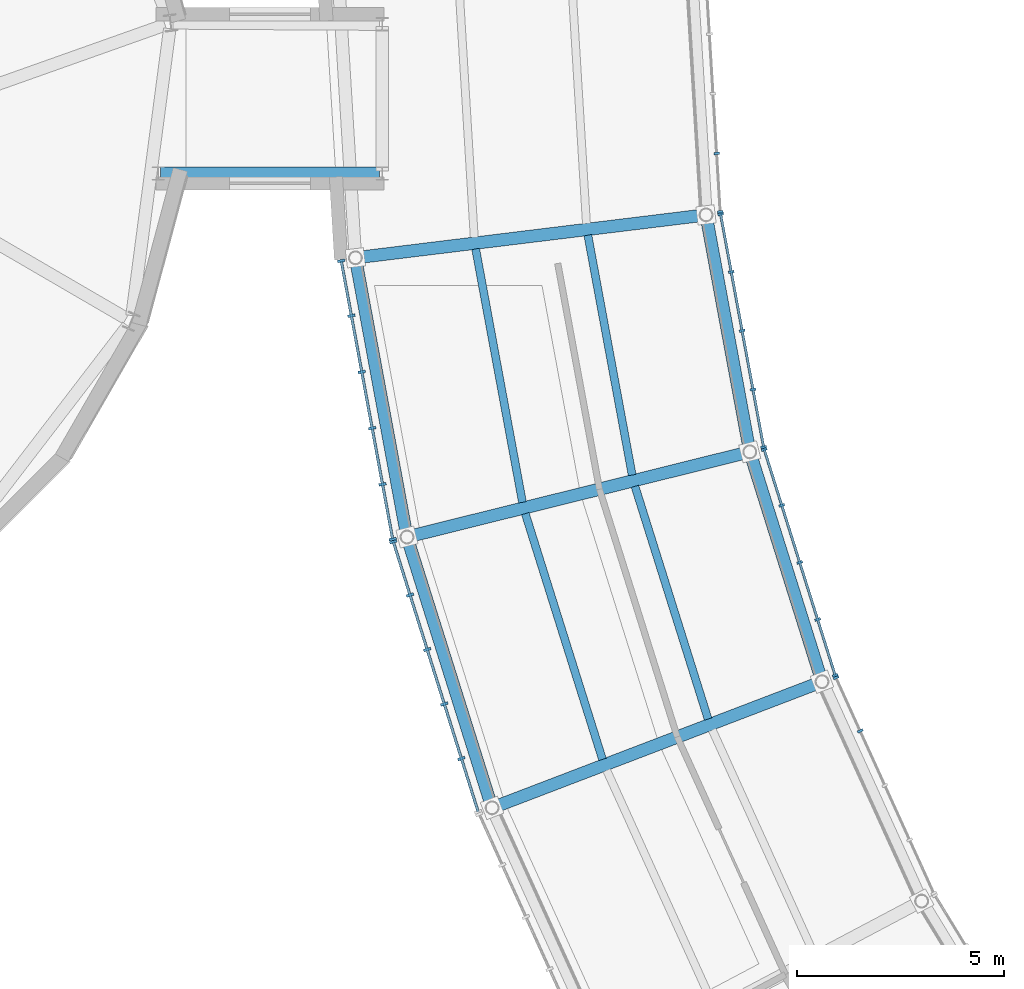
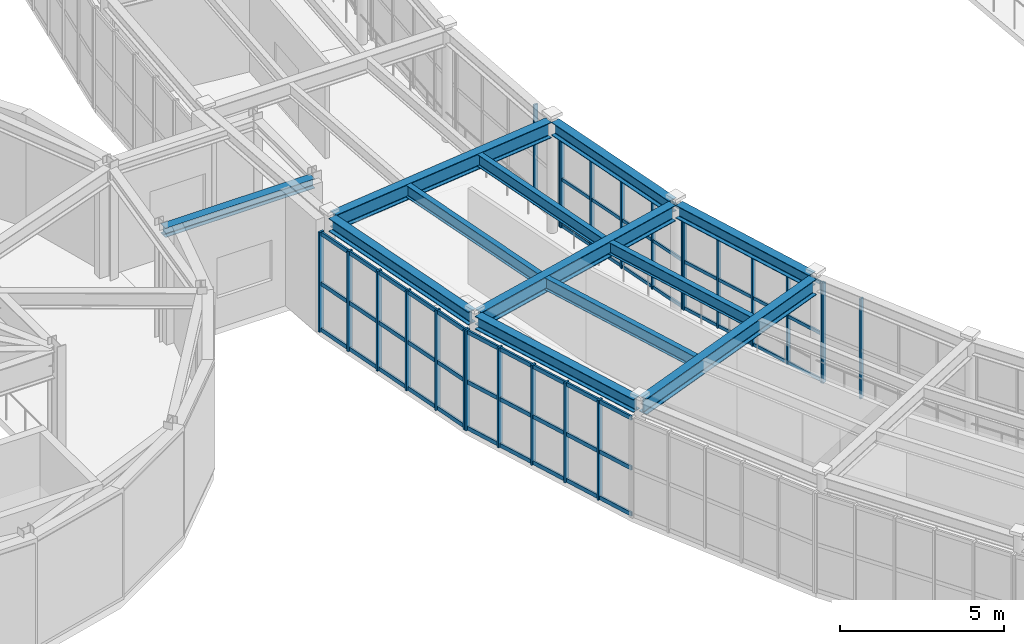
# One storey, part 22 of 103: 37 members, 12 beams, 6 elements without a shape of their own.
"""IFC4 building model written with IfcOpenShell, lengths in metres."""

from ifc_helpers import new_model, si_unit, direction, frame, origin, origin_2d, place, context, subcontext, project, spatial, rectangle, i_section, extrude, material, material_profile, profile_set, type_object, element, aggregate, save


model = new_model("IFC4")

# Units and contexts
model_context = context("Model", 3, precision=1e-05, world=origin(), true_north=direction((0.0, 1.0)))
body_context = subcontext(model_context, "Body", "Model", "MODEL_VIEW")
ifc_project = project(units=[si_unit("LENGTHUNIT", "METRE"), si_unit("AREAUNIT", "SQUARE_METRE"), si_unit("VOLUMEUNIT", "CUBIC_METRE"), si_unit("PLANEANGLEUNIT", "RADIAN"), si_unit("MASSUNIT", "GRAM", prefix="KILO")], contexts=[model_context])

# Site, building, storey
site_placement = place(None, origin())
site = spatial("IfcSite", under=ifc_project, at=site_placement, CompositionType="ELEMENT")
building_placement = place(site_placement, origin())
building = spatial("IfcBuilding", under=site, at=building_placement, Name="Varnklinge Art Gallery", CompositionType="ELEMENT")
storey_placement = place(building_placement, frame((0.0, 0.0, 5.10009765625)))
storey = spatial("IfcBuildingStorey", under=building, at=storey_placement, Name="L01", CompositionType="ELEMENT", Elevation=5.10009765625)

# Beams
ifc_material_1 = material(Name="Steel S355", Category="steel")
ifc_material_profile_1 = material_profile(ifc_material_1, i_section(OverallWidth=0.300048828125, OverallDepth=0.590087890625, WebThickness=0.012939453125, FlangeThickness=0.02490234375, FilletRadius=0.027099609375, at=origin_2d()), Name="HEA 600")
ifc_profile_set_1 = profile_set([ifc_material_profile_1], Name="Steel S355")
beam_type_1 = type_object("IfcBeamType", Name="BM-06", PredefinedType="BEAM", material=ifc_profile_set_1)
beam_1_placement = place(storey_placement, frame((40.297119140625, 48.18359375, 3.885009765625), z_axis=(0.992595580805, 0.121466098009, 0.0), x_axis=(-0.121466098009, 0.992595580805, 0.0)))
element("IfcBeam", 1, at=beam_1_placement, inside=storey, type_object=beam_type_1, Name="L01 BM-06 BM-V2-L02-R28", PredefinedType="BEAM", context=body_context, shape_type="SweptSolid", body=[
    extrude(i_section(OverallWidth=0.300048828125, OverallDepth=0.590087890625, WebThickness=0.012939453125, FlangeThickness=0.02490234375, FilletRadius=0.027099609375, at=origin_2d()), origin(), (0.0, 0.0, 1.0), 8.23681640625),
])
beam_2_placement = place(storey_placement, frame((41.53759765625, 41.468017578125, 3.885009765625), z_axis=(0.970493677731, 0.241126567355, 0.0), x_axis=(-0.241126567355, 0.970493677731, 0.0)))
element("IfcBeam", 2, at=beam_2_placement, inside=storey, type_object=beam_type_1, Name="L01 BM-06 BM-V2-L02-R29", PredefinedType="BEAM", context=body_context, shape_type="SweptSolid", body=[
    extrude(i_section(OverallWidth=0.300048828125, OverallDepth=0.590087890625, WebThickness=0.012939453125, FlangeThickness=0.02490234375, FilletRadius=0.027099609375, at=origin_2d()), origin(), (0.0, 0.0, 1.0), 8.236572265625),
])
beam_3_placement = place(storey_placement, frame((43.584228515625, 34.952880859375, 3.885009765625), z_axis=(0.934013153302, 0.357238616976, 0.0), x_axis=(-0.357238616976, 0.934013153302, 0.0)))
element("IfcBeam", 3, at=beam_3_placement, inside=storey, type_object=beam_type_1, Name="L01 BM-06 BM-V2-L02-R30", PredefinedType="BEAM", context=body_context, shape_type="SweptSolid", body=[
    extrude(i_section(OverallWidth=0.300048828125, OverallDepth=0.590087890625, WebThickness=0.012939453125, FlangeThickness=0.02490234375, FilletRadius=0.027099609375, at=origin_2d()), origin(), (0.0, 0.0, 1.0), 8.237060546875),
])
ifc_material_2 = material(Name="Steel S355", Category="steel")
ifc_material_profile_2 = material_profile(ifc_material_2, i_section(OverallWidth=0.300048828125, OverallDepth=0.35009765625, WebThickness=0.010009765625, FlangeThickness=0.017578125, FilletRadius=0.027099609375, at=origin_2d()), Name="HEA 360")
ifc_profile_set_2 = profile_set([ifc_material_profile_2], Name="Steel S355")
beam_type_2 = type_object("IfcBeamType", Name="BM-10", PredefinedType="BEAM", material=ifc_profile_set_2)
beam_4_placement = place(storey_placement, frame((35.4599609375, 50.199951171875, 3.994873046875), z_axis=(1.0, 0.0, 0.0), x_axis=(0.0, 1.0, 0.0)))
element("IfcBeam", 4, at=beam_4_placement, inside=storey, type_object=beam_type_2, Name="L01 BM-10 BM-LNK-V3-ROOF-1", PredefinedType="BEAM", context=body_context, shape_type="SweptSolid", body=[
    extrude(i_section(OverallWidth=0.300048828125, OverallDepth=0.35009765625, WebThickness=0.010009765625, FlangeThickness=0.017578125, FilletRadius=0.027099609375, at=origin_2d()), origin(), (0.0, 0.0, 1.0), 5.280029296875),
])
ifc_material_3 = material(Name="Steel S355", Category="steel")
ifc_material_profile_3 = material_profile(ifc_material_3, i_section(OverallWidth=0.18994140625, OverallDepth=0.449951171875, WebThickness=0.009521484375, FlangeThickness=0.0146484375, FilletRadius=0.02099609375, at=origin_2d()), Name="IPE 450")
ifc_profile_set_3 = profile_set([ifc_material_profile_3], Name="Steel S355")
beam_type_3 = type_object("IfcBeamType", Name="JST-04", PredefinedType="JOIST", material=ifc_profile_set_3)
beam_5_placement = place(storey_placement, frame((43.057861328125, 48.380615234375, 3.954833984375), z_axis=(0.181640421722, -0.983365017273, 0.0), x_axis=(0.983365017273, 0.181640421722, 0.0)))
element("IfcBeam", 5, at=beam_5_placement, inside=storey, type_object=beam_type_3, Name="L01 JST-04 JST-V2-L02-28-1", PredefinedType="JOIST", context=body_context, shape_type="SweptSolid", body=[
    extrude(i_section(OverallWidth=0.18994140625, OverallDepth=0.449951171875, WebThickness=0.009521484375, FlangeThickness=0.0146484375, FilletRadius=0.02099609375, at=origin_2d()), origin(), (0.0, 0.0, 1.0), 6.213623046875),
])
beam_6_placement = place(storey_placement, frame((45.76318359375, 48.711669921875, 3.954833984375), z_axis=(0.181631460363, -0.983366672512, 0.0), x_axis=(0.983366672512, 0.181631460363, 0.0)))
element("IfcBeam", 6, at=beam_6_placement, inside=storey, type_object=beam_type_3, Name="L01 JST-04 JST-V2-L02-28-2", PredefinedType="JOIST", context=body_context, shape_type="SweptSolid", body=[
    extrude(i_section(OverallWidth=0.18994140625, OverallDepth=0.449951171875, WebThickness=0.009521484375, FlangeThickness=0.0146484375, FilletRadius=0.02099609375, at=origin_2d()), origin(), (0.0, 0.0, 1.0), 5.882080078125),
])
beam_7_placement = place(storey_placement, frame((44.25390625, 41.998779296875, 3.954833984375), z_axis=(0.29971318729, -0.954029352465, 0.0), x_axis=(0.954029352465, 0.29971318729, 0.0)))
element("IfcBeam", 7, at=beam_7_placement, inside=storey, type_object=beam_type_3, Name="L01 JST-04 JST-V2-L02-29-1", PredefinedType="JOIST", context=body_context, shape_type="SweptSolid", body=[
    extrude(i_section(OverallWidth=0.18994140625, OverallDepth=0.449951171875, WebThickness=0.009521484375, FlangeThickness=0.0146484375, FilletRadius=0.02099609375, at=origin_2d()), origin(), (0.0, 0.0, 1.0), 6.213623046875),
])
beam_8_placement = place(storey_placement, frame((46.89892578125, 42.656005859375, 3.954833984375), z_axis=(0.299756442746, -0.954015762465, 0.0), x_axis=(0.954015762465, 0.299756442746, 0.0)))
element("IfcBeam", 8, at=beam_8_placement, inside=storey, type_object=beam_type_3, Name="L01 JST-04 JST-V2-L02-29-2", PredefinedType="JOIST", context=body_context, shape_type="SweptSolid", body=[
    extrude(i_section(OverallWidth=0.18994140625, OverallDepth=0.449951171875, WebThickness=0.009521484375, FlangeThickness=0.0146484375, FilletRadius=0.02099609375, at=origin_2d()), origin(), (0.0, 0.0, 1.0), 5.882080078125),
])

# Curtain wall, members
ifc_material_4 = material(Name="Anodised Aluminium", Category="aluminium")
curtain_wall_type_1 = type_object("IfcCurtainWallType", Name="CW-R02", PredefinedType="USERDEFINED", material=ifc_material_4)
curtain_wall_1_placement = place(storey_placement, origin())
curtain_wall_1 = element("IfcCurtainWall", 9, at=curtain_wall_1_placement, inside=storey, type_object=curtain_wall_type_1, Name="L01 Curtain Wall CW-V2O-L01-28", ObjectType="UNITISED CURTAIN WALL", PredefinedType="USERDEFINED")
ifc_material_5 = material(Name="Anodised Aluminium", Category="aluminium")
ifc_material_profile_4 = material_profile(ifc_material_5, rectangle(XDim=0.06494140625, YDim=0.179931640625, at=origin_2d()), Name="ALU 65x180")
ifc_profile_set_4 = profile_set([ifc_material_profile_4], Name="Anodised Aluminium")
member_type_1 = type_object("IfcMemberType", Name="MUL-01", PredefinedType="MULLION", material=ifc_profile_set_4)
member_1_placement = place(storey_placement, frame((39.81640625, 48.092041015625, 0.0), z_axis=(0.0, 0.0, 1.0), x_axis=(0.18172066947, -0.983350191075, 0.0)))
member_1 = element("IfcMember", 10, at=member_1_placement, type_object=member_type_1, Name="CW-V2O-L01-28 Mullion 1", PredefinedType="MULLION", context=body_context, shape_type="SweptSolid", body=[
    extrude(rectangle(XDim=0.06494140625, YDim=0.179931640625, at=origin_2d()), origin(), (0.0, 0.0, 1.0), 3.72998046875),
])
member_2_placement = place(storey_placement, frame((40.060791015625, 46.769287109375, 0.0), z_axis=(0.0, 0.0, 1.0), x_axis=(0.18172066947, -0.983350191075, 0.0)))
member_2 = element("IfcMember", 11, at=member_2_placement, type_object=member_type_1, Name="CW-V2O-L01-28 Mullion 2", PredefinedType="MULLION", context=body_context, shape_type="SweptSolid", body=[
    extrude(rectangle(XDim=0.06494140625, YDim=0.179931640625, at=origin_2d()), origin(), (0.0, 0.0, 1.0), 3.72998046875),
])
member_3_placement = place(storey_placement, frame((40.31103515625, 45.414306640625, 0.0), z_axis=(0.0, 0.0, 1.0), x_axis=(0.18172066947, -0.983350191075, 0.0)))
member_3 = element("IfcMember", 12, at=member_3_placement, type_object=member_type_1, Name="CW-V2O-L01-28 Mullion 3", PredefinedType="MULLION", context=body_context, shape_type="SweptSolid", body=[
    extrude(rectangle(XDim=0.06494140625, YDim=0.179931640625, at=origin_2d()), origin(), (0.0, 0.0, 1.0), 3.72998046875),
])
member_4_placement = place(storey_placement, frame((40.561279296875, 44.0595703125, 0.0), z_axis=(0.0, 0.0, 1.0), x_axis=(0.18172066947, -0.983350191075, 0.0)))
member_4 = element("IfcMember", 13, at=member_4_placement, type_object=member_type_1, Name="CW-V2O-L01-28 Mullion 4", PredefinedType="MULLION", context=body_context, shape_type="SweptSolid", body=[
    extrude(rectangle(XDim=0.06494140625, YDim=0.179931640625, at=origin_2d()), origin(), (0.0, 0.0, 1.0), 3.72998046875),
])
member_5_placement = place(storey_placement, frame((40.8115234375, 42.70458984375, 0.0), z_axis=(0.0, 0.0, 1.0), x_axis=(0.18172066947, -0.983350191075, 0.0)))
member_5 = element("IfcMember", 14, at=member_5_placement, type_object=member_type_1, Name="CW-V2O-L01-28 Mullion 5", PredefinedType="MULLION", context=body_context, shape_type="SweptSolid", body=[
    extrude(rectangle(XDim=0.06494140625, YDim=0.179931640625, at=origin_2d()), origin(), (0.0, 0.0, 1.0), 3.72998046875),
])
member_6_placement = place(storey_placement, frame((41.055908203125, 41.3818359375, 0.0), z_axis=(0.0, 0.0, 1.0), x_axis=(0.18172066947, -0.983350191075, 0.0)))
member_6 = element("IfcMember", 15, at=member_6_placement, type_object=member_type_1, Name="CW-V2O-L01-28 Mullion 6", PredefinedType="MULLION", context=body_context, shape_type="SweptSolid", body=[
    extrude(rectangle(XDim=0.06494140625, YDim=0.179931640625, at=origin_2d()), origin(), (0.0, 0.0, 1.0), 3.72998046875),
])

curtain_wall_2_placement = place(storey_placement, origin())
curtain_wall_2 = element("IfcCurtainWall", 16, at=curtain_wall_2_placement, inside=storey, type_object=curtain_wall_type_1, Name="L01 Curtain Wall CW-V2O-L01-29", ObjectType="UNITISED CURTAIN WALL", PredefinedType="USERDEFINED")
member_7_placement = place(storey_placement, frame((41.071533203125, 41.31884765625, 0.0), z_axis=(0.0, 0.0, 1.0), x_axis=(0.299706904751, -0.954031326134, 0.0)))
member_7 = element("IfcMember", 17, at=member_7_placement, type_object=member_type_1, Name="CW-V2O-L01-29 Mullion 1", PredefinedType="MULLION", context=body_context, shape_type="SweptSolid", body=[
    extrude(rectangle(XDim=0.06494140625, YDim=0.179931640625, at=origin_2d()), origin(), (0.0, 0.0, 1.0), 3.72998046875),
])
member_8_placement = place(storey_placement, frame((41.474853515625, 40.035400390625, 0.0), z_axis=(0.0, 0.0, 1.0), x_axis=(0.299706904751, -0.954031326134, 0.0)))
member_8 = element("IfcMember", 18, at=member_8_placement, type_object=member_type_1, Name="CW-V2O-L01-29 Mullion 2", PredefinedType="MULLION", context=body_context, shape_type="SweptSolid", body=[
    extrude(rectangle(XDim=0.06494140625, YDim=0.179931640625, at=origin_2d()), origin(), (0.0, 0.0, 1.0), 3.72998046875),
])
member_9_placement = place(storey_placement, frame((41.8876953125, 38.720947265625, 0.0), z_axis=(0.0, 0.0, 1.0), x_axis=(0.299706904751, -0.954031326134, 0.0)))
member_9 = element("IfcMember", 19, at=member_9_placement, type_object=member_type_1, Name="CW-V2O-L01-29 Mullion 3", PredefinedType="MULLION", context=body_context, shape_type="SweptSolid", body=[
    extrude(rectangle(XDim=0.06494140625, YDim=0.179931640625, at=origin_2d()), origin(), (0.0, 0.0, 1.0), 3.72998046875),
])
member_10_placement = place(storey_placement, frame((42.30078125, 37.406494140625, 0.0), z_axis=(0.0, 0.0, 1.0), x_axis=(0.299706904751, -0.954031326134, 0.0)))
member_10 = element("IfcMember", 20, at=member_10_placement, type_object=member_type_1, Name="CW-V2O-L01-29 Mullion 4", PredefinedType="MULLION", context=body_context, shape_type="SweptSolid", body=[
    extrude(rectangle(XDim=0.06494140625, YDim=0.179931640625, at=origin_2d()), origin(), (0.0, 0.0, 1.0), 3.72998046875),
])
member_11_placement = place(storey_placement, frame((42.713623046875, 36.09228515625, 0.0), z_axis=(0.0, 0.0, 1.0), x_axis=(0.299706904751, -0.954031326134, 0.0)))
member_11 = element("IfcMember", 21, at=member_11_placement, type_object=member_type_1, Name="CW-V2O-L01-29 Mullion 5", PredefinedType="MULLION", context=body_context, shape_type="SweptSolid", body=[
    extrude(rectangle(XDim=0.06494140625, YDim=0.179931640625, at=origin_2d()), origin(), (0.0, 0.0, 1.0), 3.72998046875),
])

ifc_material_6 = material(Name="Anodised Aluminium", Category="aluminium")
curtain_wall_type_2 = type_object("IfcCurtainWallType", Name="CW-R04", PredefinedType="USERDEFINED", material=ifc_material_6)
curtain_wall_3_placement = place(storey_placement, origin())
curtain_wall_3 = element("IfcCurtainWall", 22, at=curtain_wall_3_placement, inside=storey, type_object=curtain_wall_type_2, Name="L01 Curtain Wall CW-V2I-L01-27", ObjectType="UNITISED CURTAIN WALL", PredefinedType="USERDEFINED")
ifc_material_7 = material(Name="Anodised Aluminium", Category="aluminium")
ifc_material_profile_5 = material_profile(ifc_material_7, rectangle(XDim=0.06005859375, YDim=0.139892578125, at=origin_2d()), Name="ALU 60x140")
ifc_profile_set_5 = profile_set([ifc_material_profile_5], Name="Anodised Aluminium")
member_type_2 = type_object("IfcMemberType", Name="MUL-03", PredefinedType="MULLION", material=ifc_profile_set_5)
member_12_placement = place(storey_placement, frame((48.95751953125, 49.2734375, 0.0), z_axis=(0.0, 0.0, 1.0), x_axis=(-0.06087433122, 0.9981454382, 0.0)))
member_12 = element("IfcMember", 23, at=member_12_placement, type_object=member_type_2, Name="CW-V2I-L01-27 Mullion 1", PredefinedType="MULLION", context=body_context, shape_type="SweptSolid", body=[
    extrude(rectangle(XDim=0.06005859375, YDim=0.139892578125, at=origin_2d()), origin(), (0.0, 0.0, 1.0), 3.72998046875),
])
member_13_placement = place(storey_placement, frame((48.87158203125, 50.6826171875, 0.0), z_axis=(0.0, 0.0, 1.0), x_axis=(-0.06087433122, 0.9981454382, 0.0)))
member_13 = element("IfcMember", 24, at=member_13_placement, type_object=member_type_2, Name="CW-V2I-L01-27 Mullion 2", PredefinedType="MULLION", context=body_context, shape_type="SweptSolid", body=[
    extrude(rectangle(XDim=0.06005859375, YDim=0.139892578125, at=origin_2d()), origin(), (0.0, 0.0, 1.0), 3.72998046875),
])
aggregate(curtain_wall_3, [member_12, member_13])

curtain_wall_4_placement = place(storey_placement, origin())
curtain_wall_4 = element("IfcCurtainWall", 25, at=curtain_wall_4_placement, inside=storey, type_object=curtain_wall_type_2, Name="L01 Curtain Wall CW-V2I-L01-28", ObjectType="UNITISED CURTAIN WALL", PredefinedType="USERDEFINED")
member_14_placement = place(storey_placement, frame((50.00146484375, 43.601806640625, 0.0), z_axis=(0.0, 0.0, 1.0), x_axis=(-0.181549039717, 0.983381892338, 0.0)))
member_14 = element("IfcMember", 26, at=member_14_placement, type_object=member_type_2, Name="CW-V2I-L01-28 Mullion 1", PredefinedType="MULLION", context=body_context, shape_type="SweptSolid", body=[
    extrude(rectangle(XDim=0.06005859375, YDim=0.139892578125, at=origin_2d()), origin(), (0.0, 0.0, 1.0), 3.72998046875),
])
member_15_placement = place(storey_placement, frame((49.7451171875, 44.990234375, 0.0), z_axis=(0.0, 0.0, 1.0), x_axis=(-0.181549039717, 0.983381892338, 0.0)))
member_15 = element("IfcMember", 27, at=member_15_placement, type_object=member_type_2, Name="CW-V2I-L01-28 Mullion 2", PredefinedType="MULLION", context=body_context, shape_type="SweptSolid", body=[
    extrude(rectangle(XDim=0.06005859375, YDim=0.139892578125, at=origin_2d()), origin(), (0.0, 0.0, 1.0), 3.72998046875),
])
member_16_placement = place(storey_placement, frame((49.483154296875, 46.407958984375, 0.0), z_axis=(0.0, 0.0, 1.0), x_axis=(-0.181549039717, 0.983381892338, 0.0)))
member_16 = element("IfcMember", 28, at=member_16_placement, type_object=member_type_2, Name="CW-V2I-L01-28 Mullion 3", PredefinedType="MULLION", context=body_context, shape_type="SweptSolid", body=[
    extrude(rectangle(XDim=0.06005859375, YDim=0.139892578125, at=origin_2d()), origin(), (0.0, 0.0, 1.0), 3.72998046875),
])
member_17_placement = place(storey_placement, frame((49.22119140625, 47.82568359375, 0.0), z_axis=(0.0, 0.0, 1.0), x_axis=(-0.181549039717, 0.983381892338, 0.0)))
member_17 = element("IfcMember", 29, at=member_17_placement, type_object=member_type_2, Name="CW-V2I-L01-28 Mullion 4", PredefinedType="MULLION", context=body_context, shape_type="SweptSolid", body=[
    extrude(rectangle(XDim=0.06005859375, YDim=0.139892578125, at=origin_2d()), origin(), (0.0, 0.0, 1.0), 3.72998046875),
])
member_18_placement = place(storey_placement, frame((48.96484375, 49.214111328125, 0.0), z_axis=(0.0, 0.0, 1.0), x_axis=(-0.181549039717, 0.983381892338, 0.0)))
member_18 = element("IfcMember", 30, at=member_18_placement, type_object=member_type_2, Name="CW-V2I-L01-28 Mullion 5", PredefinedType="MULLION", context=body_context, shape_type="SweptSolid", body=[
    extrude(rectangle(XDim=0.06005859375, YDim=0.139892578125, at=origin_2d()), origin(), (0.0, 0.0, 1.0), 3.72998046875),
])

curtain_wall_5_placement = place(storey_placement, origin())
curtain_wall_5 = element("IfcCurtainWall", 31, at=curtain_wall_5_placement, inside=storey, type_object=curtain_wall_type_2, Name="L01 Curtain Wall CW-V2I-L01-29", ObjectType="UNITISED CURTAIN WALL", PredefinedType="USERDEFINED")
member_19_placement = place(storey_placement, frame((51.7265625, 38.09912109375, 0.0), z_axis=(0.0, 0.0, 1.0), x_axis=(-0.299706904751, 0.954031326134, 0.0)))
member_19 = element("IfcMember", 32, at=member_19_placement, type_object=member_type_2, Name="CW-V2I-L01-29 Mullion 1", PredefinedType="MULLION", context=body_context, shape_type="SweptSolid", body=[
    extrude(rectangle(XDim=0.06005859375, YDim=0.139892578125, at=origin_2d()), origin(), (0.0, 0.0, 1.0), 3.72998046875),
])
member_20_placement = place(storey_placement, frame((51.303466796875, 39.44580078125, 0.0), z_axis=(0.0, 0.0, 1.0), x_axis=(-0.299706904751, 0.954031326134, 0.0)))
member_20 = element("IfcMember", 33, at=member_20_placement, type_object=member_type_2, Name="CW-V2I-L01-29 Mullion 2", PredefinedType="MULLION", context=body_context, shape_type="SweptSolid", body=[
    extrude(rectangle(XDim=0.06005859375, YDim=0.139892578125, at=origin_2d()), origin(), (0.0, 0.0, 1.0), 3.72998046875),
])
member_21_placement = place(storey_placement, frame((50.871337890625, 40.8212890625, 0.0), z_axis=(0.0, 0.0, 1.0), x_axis=(-0.299706904751, 0.954031326134, 0.0)))
member_21 = element("IfcMember", 34, at=member_21_placement, type_object=member_type_2, Name="CW-V2I-L01-29 Mullion 3", PredefinedType="MULLION", context=body_context, shape_type="SweptSolid", body=[
    extrude(rectangle(XDim=0.06005859375, YDim=0.139892578125, at=origin_2d()), origin(), (0.0, 0.0, 1.0), 3.72998046875),
])
member_22_placement = place(storey_placement, frame((50.439208984375, 42.197021484375, 0.0), z_axis=(0.0, 0.0, 1.0), x_axis=(-0.299706904751, 0.954031326134, 0.0)))
member_22 = element("IfcMember", 35, at=member_22_placement, type_object=member_type_2, Name="CW-V2I-L01-29 Mullion 4", PredefinedType="MULLION", context=body_context, shape_type="SweptSolid", body=[
    extrude(rectangle(XDim=0.06005859375, YDim=0.139892578125, at=origin_2d()), origin(), (0.0, 0.0, 1.0), 3.72998046875),
])
member_23_placement = place(storey_placement, frame((50.015869140625, 43.543701171875, 0.0), z_axis=(0.0, 0.0, 1.0), x_axis=(-0.299706904751, 0.954031326134, 0.0)))
member_23 = element("IfcMember", 36, at=member_23_placement, type_object=member_type_2, Name="CW-V2I-L01-29 Mullion 5", PredefinedType="MULLION", context=body_context, shape_type="SweptSolid", body=[
    extrude(rectangle(XDim=0.06005859375, YDim=0.139892578125, at=origin_2d()), origin(), (0.0, 0.0, 1.0), 3.72998046875),
])

curtain_wall_6_placement = place(storey_placement, origin())
curtain_wall_6 = element("IfcCurtainWall", 37, at=curtain_wall_6_placement, inside=storey, type_object=curtain_wall_type_2, Name="L01 Curtain Wall CW-V2I-L01-30", ObjectType="UNITISED CURTAIN WALL", PredefinedType="USERDEFINED")
member_24_placement = place(storey_placement, frame((52.33154296875, 36.757568359375, 0.0), z_axis=(0.0, 0.0, 1.0), x_axis=(-0.413422293217, 0.910539404678, 0.0)))
member_24 = element("IfcMember", 38, at=member_24_placement, type_object=member_type_2, Name="CW-V2I-L01-30 Mullion 4", PredefinedType="MULLION", context=body_context, shape_type="SweptSolid", body=[
    extrude(rectangle(XDim=0.06005859375, YDim=0.139892578125, at=origin_2d()), origin(), (0.0, 0.0, 1.0), 3.72998046875),
])
member_25_placement = place(storey_placement, frame((51.748046875, 38.043212890625, 0.0), z_axis=(0.0, 0.0, 1.0), x_axis=(-0.413422293217, 0.910539404678, 0.0)))
member_25 = element("IfcMember", 39, at=member_25_placement, type_object=member_type_2, Name="CW-V2I-L01-30 Mullion 5", PredefinedType="MULLION", context=body_context, shape_type="SweptSolid", body=[
    extrude(rectangle(XDim=0.06005859375, YDim=0.139892578125, at=origin_2d()), origin(), (0.0, 0.0, 1.0), 3.72998046875),
])
aggregate(curtain_wall_6, [member_24, member_25])

# Beams
ifc_material_8 = material(Name="Steel S355", Category="steel")
ifc_material_profile_6 = material_profile(ifc_material_8, i_section(OverallWidth=0.300048828125, OverallDepth=0.489990234375, WebThickness=0.011962890625, FlangeThickness=0.02294921875, FilletRadius=0.027099609375, at=origin_2d()), Name="HEA 500")
ifc_profile_set_6 = profile_set([ifc_material_profile_6], Name="Steel S355")
beam_type_4 = type_object("IfcBeamType", Name="SPB-01", PredefinedType="SPANDREL", material=ifc_profile_set_6)
beam_9_placement = place(storey_placement, frame((40.183349609375, 48.02880859375, 3.934814453125), z_axis=(0.181672496831, -0.983359092039, 0.0), x_axis=(0.983359092039, 0.181672496831, 0.0)))
element("IfcBeam", 40, at=beam_9_placement, inside=storey, type_object=beam_type_4, Name="L01 SPB-01 BM-V2-L02-O28", PredefinedType="SPANDREL", context=body_context, shape_type="SweptSolid", body=[
    extrude(i_section(OverallWidth=0.300048828125, OverallDepth=0.489990234375, WebThickness=0.011962890625, FlangeThickness=0.02294921875, FilletRadius=0.027099609375, at=origin_2d()), origin(), (0.0, 0.0, 1.0), 6.566162109375),
])
beam_10_placement = place(storey_placement, frame((48.637451171875, 49.0634765625, 3.934814453125), z_axis=(0.181635496942, -0.983365926932, 0.0), x_axis=(0.983365926932, 0.181635496942, 0.0)))
element("IfcBeam", 41, at=beam_10_placement, inside=storey, type_object=beam_type_4, Name="L01 SPB-01 BM-V2-L02-I28", PredefinedType="SPANDREL", context=body_context, shape_type="SweptSolid", body=[
    extrude(i_section(OverallWidth=0.300048828125, OverallDepth=0.489990234375, WebThickness=0.011962890625, FlangeThickness=0.02294921875, FilletRadius=0.027099609375, at=origin_2d()), origin(), (0.0, 0.0, 1.0), 5.52978515625),
])
beam_11_placement = place(storey_placement, frame((41.443603515625, 41.300537109375, 3.934814453125), z_axis=(0.299727009364, -0.95402501008, 0.0), x_axis=(0.95402501008, 0.299727009364, 0.0)))
element("IfcBeam", 42, at=beam_11_placement, inside=storey, type_object=beam_type_4, Name="L01 SPB-01 BM-V2-L02-O29", PredefinedType="SPANDREL", context=body_context, shape_type="SweptSolid", body=[
    extrude(i_section(OverallWidth=0.300048828125, OverallDepth=0.489990234375, WebThickness=0.011962890625, FlangeThickness=0.02294921875, FilletRadius=0.027099609375, at=origin_2d()), origin(), (0.0, 0.0, 1.0), 6.56591796875),
])
beam_12_placement = place(storey_placement, frame((49.709228515625, 43.3544921875, 3.934814453125), z_axis=(0.299742786947, -0.954020053077, 0.0), x_axis=(0.954020053077, 0.299742786947, 0.0)))
element("IfcBeam", 43, at=beam_12_placement, inside=storey, type_object=beam_type_4, Name="L01 SPB-01 BM-V2-L02-I29", PredefinedType="SPANDREL", context=body_context, shape_type="SweptSolid", body=[
    extrude(i_section(OverallWidth=0.300048828125, OverallDepth=0.489990234375, WebThickness=0.011962890625, FlangeThickness=0.02294921875, FilletRadius=0.027099609375, at=origin_2d()), origin(), (0.0, 0.0, 1.0), 5.529541015625),
])

# Member
ifc_material_9 = material(Name="Anodised Aluminium", Category="aluminium")
ifc_material_profile_7 = material_profile(ifc_material_9, rectangle(XDim=0.06494140625, YDim=0.14990234375, at=origin_2d()), Name="ALU 65x150")
ifc_profile_set_7 = profile_set([ifc_material_profile_7], Name="Anodised Aluminium")
member_type_3 = type_object("IfcMemberType", Name="TRN-01", PredefinedType="USERDEFINED", material=ifc_profile_set_7)
member_26_placement = place(storey_placement, frame((39.81640625, 48.092041015625, 0.074951171875), z_axis=(0.181645952551, -0.98336399564, 0.0), x_axis=(0.98336399564, 0.181645952551, 0.0)))
member_26 = element("IfcMember", 44, at=member_26_placement, type_object=member_type_3, Name="CW-V2O-L01-28 Transom 1", ObjectType="TRANSOM", PredefinedType="USERDEFINED", context=body_context, shape_type="SweptSolid", body=[
    extrude(rectangle(XDim=0.06494140625, YDim=0.14990234375, at=origin_2d()), origin(), (0.0, 0.0, 1.0), 6.82373046875),
])

member_27_placement = place(storey_placement, frame((39.81640625, 48.092041015625, 1.790283203125), z_axis=(0.181645952551, -0.98336399564, 0.0), x_axis=(0.98336399564, 0.181645952551, 0.0)))
member_27 = element("IfcMember", 45, at=member_27_placement, type_object=member_type_3, Name="CW-V2O-L01-28 Transom 2", ObjectType="TRANSOM", PredefinedType="USERDEFINED", context=body_context, shape_type="SweptSolid", body=[
    extrude(rectangle(XDim=0.06494140625, YDim=0.14990234375, at=origin_2d()), origin(), (0.0, 0.0, 1.0), 6.82373046875),
])

member_28_placement = place(storey_placement, frame((39.81640625, 48.092041015625, 3.65478515625), z_axis=(0.181645952551, -0.98336399564, 0.0), x_axis=(0.98336399564, 0.181645952551, 0.0)))
member_28 = element("IfcMember", 46, at=member_28_placement, type_object=member_type_3, Name="CW-V2O-L01-28 Transom 3", ObjectType="TRANSOM", PredefinedType="USERDEFINED", context=body_context, shape_type="SweptSolid", body=[
    extrude(rectangle(XDim=0.06494140625, YDim=0.14990234375, at=origin_2d()), origin(), (0.0, 0.0, 1.0), 6.82373046875),
])

aggregate(curtain_wall_1, [member_1, member_2, member_3, member_4, member_5, member_6, member_26, member_27, member_28])

member_29_placement = place(storey_placement, frame((41.071533203125, 41.31884765625, 0.074951171875), z_axis=(0.299747517442, -0.954018566794, 0.0), x_axis=(0.954018566794, 0.299747517442, 0.0)))
member_29 = element("IfcMember", 47, at=member_29_placement, type_object=member_type_3, Name="CW-V2O-L01-29 Transom 1", ObjectType="TRANSOM", PredefinedType="USERDEFINED", context=body_context, shape_type="SweptSolid", body=[
    extrude(rectangle(XDim=0.06494140625, YDim=0.14990234375, at=origin_2d()), origin(), (0.0, 0.0, 1.0), 6.82373046875),
])

member_30_placement = place(storey_placement, frame((41.071533203125, 41.31884765625, 1.790283203125), z_axis=(0.299747517442, -0.954018566794, 0.0), x_axis=(0.954018566794, 0.299747517442, 0.0)))
member_30 = element("IfcMember", 48, at=member_30_placement, type_object=member_type_3, Name="CW-V2O-L01-29 Transom 2", ObjectType="TRANSOM", PredefinedType="USERDEFINED", context=body_context, shape_type="SweptSolid", body=[
    extrude(rectangle(XDim=0.06494140625, YDim=0.14990234375, at=origin_2d()), origin(), (0.0, 0.0, 1.0), 6.82373046875),
])

member_31_placement = place(storey_placement, frame((41.071533203125, 41.31884765625, 3.65478515625), z_axis=(0.299747517442, -0.954018566794, 0.0), x_axis=(0.954018566794, 0.299747517442, 0.0)))
member_31 = element("IfcMember", 49, at=member_31_placement, type_object=member_type_3, Name="CW-V2O-L01-29 Transom 3", ObjectType="TRANSOM", PredefinedType="USERDEFINED", context=body_context, shape_type="SweptSolid", body=[
    extrude(rectangle(XDim=0.06494140625, YDim=0.14990234375, at=origin_2d()), origin(), (0.0, 0.0, 1.0), 6.82373046875),
])

aggregate(curtain_wall_2, [member_7, member_8, member_9, member_10, member_11, member_29, member_30, member_31])

ifc_material_10 = material(Name="Anodised Aluminium", Category="aluminium")
ifc_material_profile_8 = material_profile(ifc_material_10, rectangle(XDim=0.06005859375, YDim=0.1201171875, at=origin_2d()), Name="ALU 60x120")
ifc_profile_set_8 = profile_set([ifc_material_profile_8], Name="Anodised Aluminium")
member_type_4 = type_object("IfcMemberType", Name="TRN-02", PredefinedType="USERDEFINED", material=ifc_profile_set_8)
member_32_placement = place(storey_placement, frame((50.00146484375, 43.601806640625, 0.059814453125), z_axis=(-0.181632759384, 0.983366432577, 0.0), x_axis=(-0.983366432577, -0.181632759384, 0.0)))
member_32 = element("IfcMember", 50, at=member_32_placement, type_object=member_type_4, Name="CW-V2I-L01-28 Transom 1", ObjectType="TRANSOM", PredefinedType="USERDEFINED", context=body_context, shape_type="SweptSolid", body=[
    extrude(rectangle(XDim=0.06005859375, YDim=0.1201171875, at=origin_2d()), origin(), (0.0, 0.0, 1.0), 5.707275390625),
])

member_33_placement = place(storey_placement, frame((50.00146484375, 43.601806640625, 1.790283203125), z_axis=(-0.181632759384, 0.983366432577, 0.0), x_axis=(-0.983366432577, -0.181632759384, 0.0)))
member_33 = element("IfcMember", 51, at=member_33_placement, type_object=member_type_4, Name="CW-V2I-L01-28 Transom 2", ObjectType="TRANSOM", PredefinedType="USERDEFINED", context=body_context, shape_type="SweptSolid", body=[
    extrude(rectangle(XDim=0.06005859375, YDim=0.1201171875, at=origin_2d()), origin(), (0.0, 0.0, 1.0), 5.707275390625),
])

member_34_placement = place(storey_placement, frame((50.00146484375, 43.601806640625, 3.669921875), z_axis=(-0.181632759384, 0.983366432577, 0.0), x_axis=(-0.983366432577, -0.181632759384, 0.0)))
member_34 = element("IfcMember", 52, at=member_34_placement, type_object=member_type_4, Name="CW-V2I-L01-28 Transom 3", ObjectType="TRANSOM", PredefinedType="USERDEFINED", context=body_context, shape_type="SweptSolid", body=[
    extrude(rectangle(XDim=0.06005859375, YDim=0.1201171875, at=origin_2d()), origin(), (0.0, 0.0, 1.0), 5.707275390625),
])

aggregate(curtain_wall_4, [member_14, member_15, member_16, member_17, member_18, member_32, member_33, member_34])

member_35_placement = place(storey_placement, frame((51.7265625, 38.09912109375, 0.059814453125), z_axis=(-0.29975317852, 0.954016788095, 0.0), x_axis=(-0.954016788095, -0.29975317852, 0.0)))
member_35 = element("IfcMember", 53, at=member_35_placement, type_object=member_type_4, Name="CW-V2I-L01-29 Transom 1", ObjectType="TRANSOM", PredefinedType="USERDEFINED", context=body_context, shape_type="SweptSolid", body=[
    extrude(rectangle(XDim=0.06005859375, YDim=0.1201171875, at=origin_2d()), origin(), (0.0, 0.0, 1.0), 5.70703125),
])

member_36_placement = place(storey_placement, frame((51.7265625, 38.09912109375, 1.790283203125), z_axis=(-0.29975317852, 0.954016788095, 0.0), x_axis=(-0.954016788095, -0.29975317852, 0.0)))
member_36 = element("IfcMember", 54, at=member_36_placement, type_object=member_type_4, Name="CW-V2I-L01-29 Transom 2", ObjectType="TRANSOM", PredefinedType="USERDEFINED", context=body_context, shape_type="SweptSolid", body=[
    extrude(rectangle(XDim=0.06005859375, YDim=0.1201171875, at=origin_2d()), origin(), (0.0, 0.0, 1.0), 5.70703125),
])

member_37_placement = place(storey_placement, frame((51.7265625, 38.09912109375, 3.669921875), z_axis=(-0.29975317852, 0.954016788095, 0.0), x_axis=(-0.954016788095, -0.29975317852, 0.0)))
member_37 = element("IfcMember", 55, at=member_37_placement, type_object=member_type_4, Name="CW-V2I-L01-29 Transom 3", ObjectType="TRANSOM", PredefinedType="USERDEFINED", context=body_context, shape_type="SweptSolid", body=[
    extrude(rectangle(XDim=0.06005859375, YDim=0.1201171875, at=origin_2d()), origin(), (0.0, 0.0, 1.0), 5.70703125),
])

aggregate(curtain_wall_5, [member_19, member_20, member_21, member_22, member_23, member_35, member_36, member_37])

save(model, "model.ifc")
